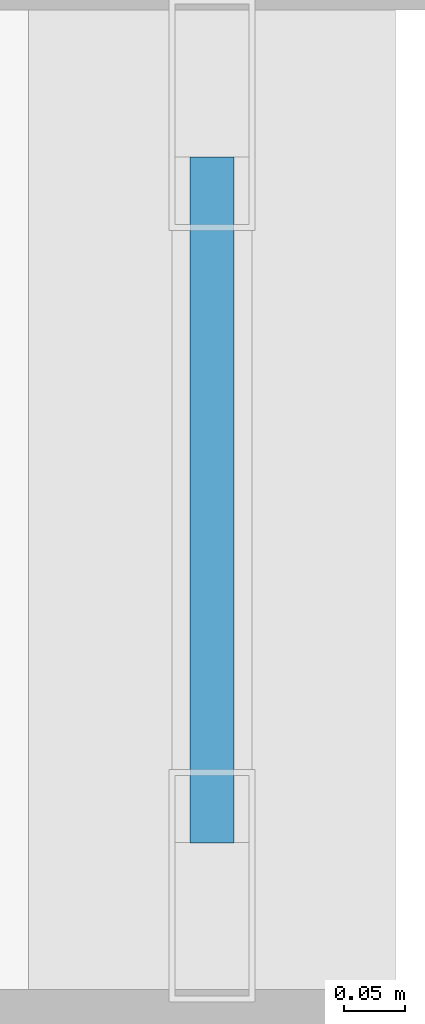
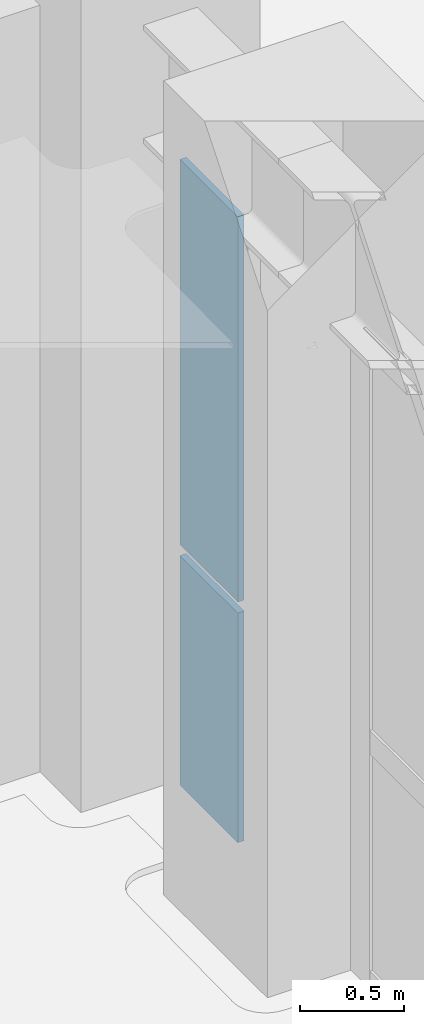
# One storey, part 15 of 34: 2 plates, 1 element without a shape of its own.
"""IFC4 building model written with IfcOpenShell, lengths in metres."""

from ifc_helpers import new_model, si_unit, derived_unit, direction, frame, origin, origin_2d, place, context, subcontext, project, spatial, rectangle, extrude, source, transform, mapped, material, layer, layer_set, type_object, element, aggregate, save


model = new_model("IFC4")

# Units and contexts
model_context = context("Model", 3, precision=1e-05, world=origin(), true_north=direction((0.0, 1.0)))
body_context = subcontext(model_context, "Body", "Model", "MODEL_VIEW")
ifc_project = project(units=[si_unit("LENGTHUNIT", "METRE"), si_unit("AREAUNIT", "SQUARE_METRE"), si_unit("VOLUMEUNIT", "CUBIC_METRE"), si_unit("PLANEANGLEUNIT", "RADIAN"), si_unit("MASSUNIT", "GRAM", prefix="KILO"), derived_unit("THERMALTRANSMITTANCEUNIT", [(si_unit("POWERUNIT", "WATT"), 1), (si_unit("LENGTHUNIT", "METRE"), -2), (si_unit("THERMODYNAMICTEMPERATUREUNIT", "KELVIN"), -1)])], contexts=[model_context])

# Site, building, storey
site_placement = place(None, origin())
site = spatial("IfcSite", under=ifc_project, at=site_placement, CompositionType="ELEMENT")
building_placement = place(site_placement, origin())
building = spatial("IfcBuilding", under=site, at=building_placement, Name="Korsvarv Bourse and Concert Hall", CompositionType="ELEMENT")
storey_placement = place(building_placement, frame((0.0, 0.0, 14.39990234375)))
storey = spatial("IfcBuildingStorey", under=building, at=storey_placement, Name="L03", CompositionType="ELEMENT", Elevation=14.39990234375)

# Curtain wall, plates
ifc_material_1 = material(Name="Anodised aluminium and triple low-E glazing", Category="glass")
ifc_layer_1 = layer(ifc_material_1, 0.239990234375)
ifc_layer_set_1 = layer_set([ifc_layer_1], Name="Anodised aluminium and triple low-E glazing")
curtain_wall_type = type_object("IfcCurtainWallType", Name="CW-SYS-5", PredefinedType="NOTDEFINED", material=ifc_layer_set_1)
curtain_wall_placement = place(storey_placement, origin())
curtain_wall = element("IfcCurtainWall", 1, at=curtain_wall_placement, inside=storey, type_object=curtain_wall_type, Name="L03 CW5 curtain wall CW-L03-E2-2", PredefinedType="NOTDEFINED")
ifc_material_2 = material(Name="Tempered triple insulated low-E architectural glass", Category="glass")
ifc_layer_2 = layer(ifc_material_2, 0.035888671875)
ifc_layer_set_2 = layer_set([ifc_layer_2], Name="Tempered triple insulated low-E architectural glass")
plate_type = type_object("IfcPlateType", Name="CWP-VIS1", PredefinedType="CURTAIN_PANEL", material=ifc_layer_set_2)
shared_shape_1 = source(origin(), body_context, "Body", "SweptSolid", [
    extrude(rectangle(XDim=0.56005859375, YDim=0.035888671875, at=origin_2d()), origin(), (0.0, 0.0, 1.0), 1.35400390625),
])
plate_1_placement = place(storey_placement, frame((66.0, 28.89990234375, 0.065185546875), z_axis=(0.0, 0.0, 1.0), x_axis=(0.0, 1.0, 0.0)))
plate_1 = element("IfcPlate", 2, at=plate_1_placement, type_object=plate_type, Name="CW5 panel 1.1", PredefinedType="CURTAIN_PANEL", context=body_context, shape_type="MappedRepresentation", body=[
    mapped(shared_shape_1, transform((0.0, 0.0, 0.0), scale=1.0)),
])
shared_shape_2 = source(origin(), body_context, "Body", "SweptSolid", [
    extrude(rectangle(XDim=0.56005859375, YDim=0.035888671875, at=origin_2d()), origin(), (0.0, 0.0, 1.0), 2.27099609375),
])
plate_2_placement = place(storey_placement, frame((66.0, 28.89990234375, 1.484130859375), z_axis=(0.0, 0.0, 1.0), x_axis=(0.0, 1.0, 0.0)))
plate_2 = element("IfcPlate", 3, at=plate_2_placement, type_object=plate_type, Name="CW5 panel 1.2", PredefinedType="CURTAIN_PANEL", context=body_context, shape_type="MappedRepresentation", body=[
    mapped(shared_shape_2, transform((0.0, 0.0, 0.0), scale=1.0)),
])
aggregate(curtain_wall, [plate_1, plate_2])

save(model, "model.ifc")
